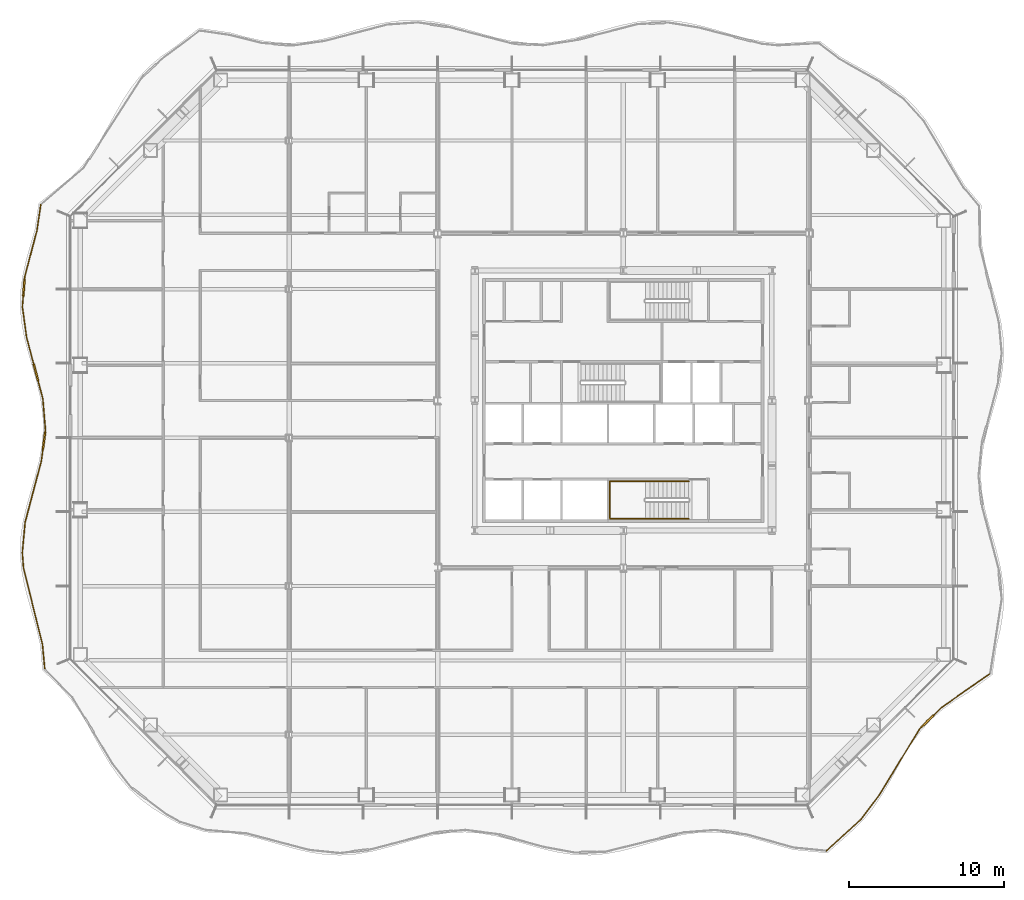
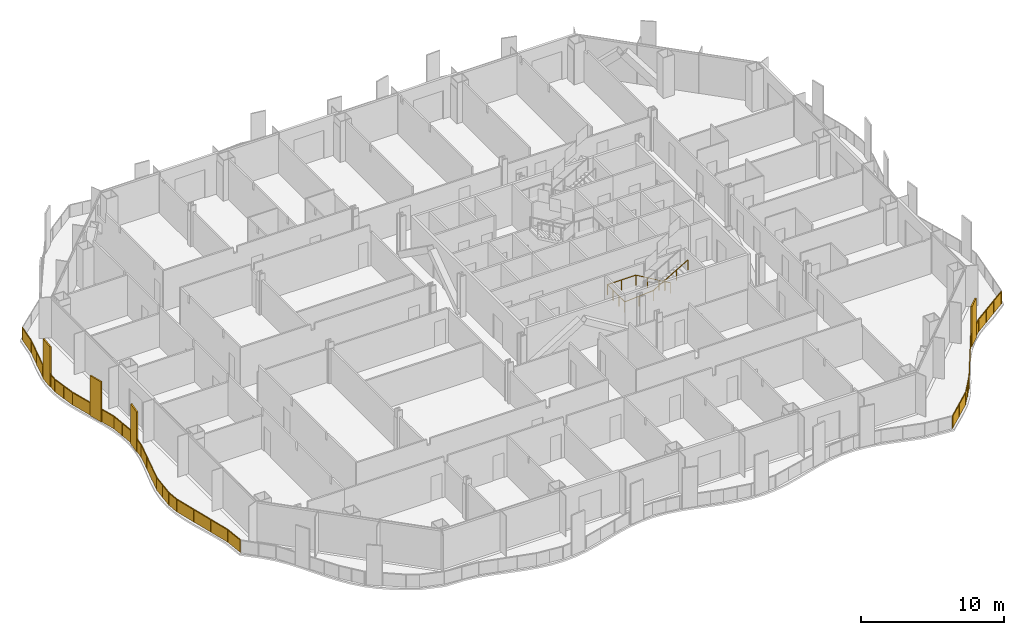
# One storey, part 14 of 18: 3 railings.
"""IFC4 building model written with IfcOpenShell, lengths in metres."""

import ifcopenshell
import ifcopenshell.guid

model = None  # the IFC model being written
_history = None  # IfcOwnerHistory: only IFC2X3 demands one
_inside = {}  # id of a spatial element -> (the spatial element, [elements in it])
_under = {}  # id of a project, library or spatial element -> (it, [spatial elements below it])
_declared = {}  # id of a project -> (the project, [libraries it declares])
_typed = {}  # id of a type object -> (the type object, [elements of that type])
_made_of = {}  # id of a material, layer set ... -> (it, [elements and type objects made of it])


def new_model(schema):
    """Start an empty IFC model of exactly this schema.

    Asked for "IFC4X3", IfcOpenShell would pick the latest addendum, in which some entities
    have other attributes; the version numbers below select the first issue.
    IFC2X3 requires an IfcOwnerHistory on every rooted entity: one is made here for all.
    """
    global model, _history
    if schema == "IFC4X3":
        model = ifcopenshell.file(schema_version=(4, 3, 0, 0))
    else:
        model = ifcopenshell.file(schema=schema)
    _inside.clear()
    _under.clear()
    _declared.clear()
    _typed.clear()
    _made_of.clear()
    _history = None
    if model.schema == "IFC2X3":
        org = make("IfcOrganization", Name="unknown")
        user = make(
            "IfcPersonAndOrganization",
            ThePerson=make("IfcPerson", FamilyName="unknown"),
            TheOrganization=org,
        )
        app = make(
            "IfcApplication",
            ApplicationDeveloper=org,
            Version="unknown",
            ApplicationFullName="unknown",
            ApplicationIdentifier="unknown",
        )
        _history = make(
            "IfcOwnerHistory",
            OwningUser=user,
            OwningApplication=app,
            ChangeAction="ADDED",
            CreationDate=0,
        )
    return model


def make(cls, **values):
    """One entity of the class cls with the attributes given. An attribute that is None is left unset."""
    return model.create_entity(
        cls, **{name: value for name, value in values.items() if value is not None}
    )


def rooted(cls, **values):
    """An entity with a GlobalId (a new one), such as an element, a storey or a relation."""
    return make(cls, GlobalId=ifcopenshell.guid.new(), OwnerHistory=_history, **values)


def si_unit(unit_type, name, prefix=None):
    """IfcSIUnit, for example si_unit("LENGTHUNIT", "METRE", prefix="MILLI")."""
    return make("IfcSIUnit", UnitType=unit_type, Prefix=prefix, Name=name)


def assignment(units):
    """IfcUnitAssignment: the units of a project."""
    return None if units is None else make("IfcUnitAssignment", Units=units)


def point(xyz):
    """IfcCartesianPoint."""
    return None if xyz is None else make("IfcCartesianPoint", Coordinates=xyz)


def direction(xyz):
    """IfcDirection."""
    return None if xyz is None else make("IfcDirection", DirectionRatios=xyz)


def frame(location, z_axis=None, x_axis=None):
    """IfcAxis2Placement3D, a coordinate frame: its origin and axes. An axis left out is left unset."""
    return make(
        "IfcAxis2Placement3D",
        Location=point(location),
        Axis=direction(z_axis),
        RefDirection=direction(x_axis),
    )


def frame_2d(location, x_axis=None):
    """IfcAxis2Placement2D, a coordinate frame in the plane: its origin and x axis."""
    return make(
        "IfcAxis2Placement2D", Location=point(location), RefDirection=direction(x_axis)
    )


def origin():
    """The frame at (0, 0, 0) with its axes left unset."""
    return frame((0.0, 0.0, 0.0))


def origin_2d():
    """The frame at (0, 0) in the plane with its x axis left unset."""
    return frame_2d((0.0, 0.0))


def place(relative_to, where):
    """IfcLocalPlacement: puts the frame where relative to a parent placement (None: the world)."""
    return make(
        "IfcLocalPlacement", PlacementRelTo=relative_to, RelativePlacement=where
    )


def context(
    kind, dimensions, precision=None, world=None, true_north=None, identifier=None
):
    """IfcGeometricRepresentationContext, for example the 3D "Model" context."""
    return make(
        "IfcGeometricRepresentationContext",
        ContextIdentifier=identifier,
        ContextType=kind,
        CoordinateSpaceDimension=dimensions,
        Precision=precision,
        WorldCoordinateSystem=world,
        TrueNorth=true_north,
    )


def subcontext(parent, identifier, kind, view, scale=None):
    """IfcGeometricRepresentationSubContext, for example "Body" below "Model"."""
    return make(
        "IfcGeometricRepresentationSubContext",
        ContextIdentifier=identifier,
        ContextType=kind,
        ParentContext=parent,
        TargetScale=scale,
        TargetView=view,
    )


def project(units=None, contexts=None):
    """IfcProject with its units and contexts."""
    return rooted(
        "IfcProject",
        Name="project",
        RepresentationContexts=contexts,
        UnitsInContext=assignment(units),
    )


def spatial(cls, under=None, at=None, **own):
    """A site, building, storey or space (cls), placed at a placement, below another one or the project."""
    s = rooted(cls, ObjectPlacement=at, **own)
    if under is not None:
        _under.setdefault(under.id(), (under, []))[1].append(s)
    return s


def polyline(points):
    """IfcPolyline through the points."""
    return make("IfcPolyline", Points=[point(p) for p in points])


def profile(cls, at=None, kind="AREA", **sizes):
    """A parametric profile (cls). Its sizes go by their IFC names, for example OverallWidth=200.0."""
    return make(cls, ProfileType=kind, Position=at, **sizes)


def rectangle(**sizes):
    """IfcRectangleProfileDef."""
    return profile("IfcRectangleProfileDef", **sizes)


def outline(outer, holes=None, kind="AREA"):
    """IfcArbitraryClosedProfileDef: a profile drawn as a closed curve; with holes, ...WithVoids."""
    if holes is None:
        return make("IfcArbitraryClosedProfileDef", ProfileType=kind, OuterCurve=outer)
    return make(
        "IfcArbitraryProfileDefWithVoids",
        ProfileType=kind,
        OuterCurve=outer,
        InnerCurves=holes,
    )


def extrude(swept, where, along, depth):
    """IfcExtrudedAreaSolid: the profile swept, set in the frame where, extruded along a direction by depth."""
    return make(
        "IfcExtrudedAreaSolid",
        SweptArea=swept,
        Position=where,
        ExtrudedDirection=direction(along),
        Depth=depth,
    )


def shape(context_of_items, identifier, shape_type, items):
    """IfcShapeRepresentation: the items that make up one representation, for example the "Body"."""
    return make(
        "IfcShapeRepresentation",
        ContextOfItems=context_of_items,
        RepresentationIdentifier=identifier,
        RepresentationType=shape_type,
        Items=items,
    )


def material(Name=None, Category=None):
    """IfcMaterial."""
    return make("IfcMaterial", Name=Name, Category=Category)


def made_of(thing, what):
    """Note that an element or type object is made of a material, layer set ...; save() writes the relation."""
    if what is not None:
        _made_of.setdefault(what.id(), (what, []))[1].append(thing)
    return thing


def type_object(cls, material=None, **own):
    """A type object (cls), such as IfcWallType, which elements share."""
    return made_of(rooted(cls, **own), material)


def element(
    cls,
    number,
    at=None,
    inside=None,
    cuts=None,
    type_object=None,
    material=None,
    context=None,
    identifier="Body",
    shape_type=None,
    held_by="IfcProductDefinitionShape",
    body=None,
    shapes=None,
    **own,
):
    """One element of the class cls, such as IfcWall. Its Tag is "e" and its number.

    at: its placement. inside: the storey or other place that contains it. cuts: it is an
    opening in that element (IfcRelVoidsElement). A single representation is given by context,
    identifier, shape_type and body (its items); several are given by shapes. held_by: the class
    of the entity that holds the representations. save() writes the other relations.
    """
    e = rooted(cls, Tag="e%d" % number, ObjectPlacement=at, **own)
    if body is not None:
        shapes = [shape(context, identifier, shape_type, body)]
    if shapes is not None:
        e.Representation = make(held_by, Representations=shapes)
    if inside is not None:
        _inside.setdefault(inside.id(), (inside, []))[1].append(e)
    if cuts is not None:
        rooted(
            "IfcRelVoidsElement", RelatingBuildingElement=cuts, RelatedOpeningElement=e
        )
    if type_object is not None:
        _typed.setdefault(type_object.id(), (type_object, []))[1].append(e)
    return made_of(e, material)


def aggregate(whole, parts):
    """IfcRelAggregates: a whole, such as a stair, and the parts it consists of."""
    return rooted("IfcRelAggregates", RelatingObject=whole, RelatedObjects=parts)


def save(model, path):
    """Write the relations noted so far, then the file.

    IfcRelAggregates (storeys below a building ...), IfcRelContainedInSpatialStructure (elements
    in a storey), IfcRelDefinesByType, IfcRelAssociatesMaterial and IfcRelDeclares: one each for
    every whole, place, type object, material and project.
    """
    for whole, parts in _under.values():
        aggregate(whole, parts)
    for where, things in _inside.values():
        rooted(
            "IfcRelContainedInSpatialStructure",
            RelatedElements=things,
            RelatingStructure=where,
        )
    for kind, things in _typed.values():
        rooted("IfcRelDefinesByType", RelatedObjects=things, RelatingType=kind)
    for what, things in _made_of.values():
        rooted("IfcRelAssociatesMaterial", RelatedObjects=things, RelatingMaterial=what)
    for by, libraries in _declared.values():
        rooted("IfcRelDeclares", RelatingContext=by, RelatedDefinitions=libraries)
    model.write(path)


model = new_model("IFC4")

# Units and contexts
model_context = context("Model", 3, precision=1e-05, world=origin(), true_north=direction((0.0, 1.0)))
body_context = subcontext(model_context, "Body", "Model", "MODEL_VIEW")
ifc_project = project(units=[si_unit("LENGTHUNIT", "METRE"), si_unit("AREAUNIT", "SQUARE_METRE"), si_unit("VOLUMEUNIT", "CUBIC_METRE"), si_unit("PLANEANGLEUNIT", "RADIAN"), si_unit("MASSUNIT", "GRAM", prefix="KILO")], contexts=[model_context])

# Site, building, storey
site_placement = place(None, origin())
site = spatial("IfcSite", under=ifc_project, at=site_placement, CompositionType="ELEMENT")
building_placement = place(site_placement, origin())
building = spatial("IfcBuilding", under=site, at=building_placement, Name="Cairn Pilgrim Tower", CompositionType="ELEMENT")
storey_placement = place(building_placement, frame((0.0, 0.0, 65.39990234375)))
storey = spatial("IfcBuildingStorey", under=building, at=storey_placement, Name="L14", CompositionType="ELEMENT", Elevation=65.39990234375)

# Railings
ifc_material_1 = material(Name="Bronze anodised aluminium rail, posts and fin screens with laminated glass infill", Category="aluminium")
railing_type_1 = type_object("IfcRailingType", Name="BALCONY GUARD WITH FIN SCREENS", PredefinedType="GUARDRAIL", material=ifc_material_1)
railing_1_placement = place(storey_placement, frame((20.331298828125, -26.700927734375, 0.0)))
element("IfcRailing", 1, at=railing_1_placement, inside=storey, type_object=railing_type_1, Name="Balcony guard BGF-1 with fin screens", PredefinedType="GUARDRAIL", context=body_context, shape_type="SweptSolid", body=[
    extrude(rectangle(XDim=0.050048828125, YDim=0.050048828125, at=origin_2d()), frame((0.0, 0.0, 1.0751953125), z_axis=(0.737340494157, 0.675521276998, 0.0), x_axis=(-0.675521276998, 0.737340494157, 0.0)), (0.0, 0.0, 1.0), 3.044921875),
    extrude(rectangle(XDim=0.050048828125, YDim=0.050048828125, at=origin_2d()), frame((2.2451171875, 2.056884765625, 1.0751953125), z_axis=(0.601108153967, 0.799167684053, 0.0), x_axis=(-0.799167684053, 0.601108153967, 0.0)), (0.0, 0.0, 1.0), 1.937744140625),
    extrude(rectangle(XDim=0.050048828125, YDim=0.050048828125, at=origin_2d()), frame((3.409912109375, 3.60546875, 1.0751953125), z_axis=(0.52059266739, 0.853805173714, 0.0), x_axis=(-0.853805173714, 0.52059266739, 0.0)), (0.0, 0.0, 1.0), 5.00048828125),
    extrude(rectangle(XDim=1.10009765625, YDim=0.110107421875, at=origin_2d()), frame((6.513671875, 8.364501953125, 0.0), z_axis=(0.0, 0.0, 1.0), x_axis=(0.71486767761, 0.699259753961, 0.0)), (0.0, 0.0, 1.0), 3.39990234375),
    extrude(rectangle(XDim=0.050048828125, YDim=0.050048828125, at=origin_2d()), frame((6.01318359375, 7.875, 1.0751953125), z_axis=(0.71486767761, 0.699259753961, 0.0), x_axis=(-0.699259753961, 0.71486767761, 0.0)), (0.0, 0.0, 1.0), 0.14990234375),
    extrude(rectangle(XDim=0.050048828125, YDim=0.050048828125, at=origin_2d()), frame((6.90673828125, 8.7490234375, 1.0751953125), z_axis=(0.71486767761, 0.699259753961, 0.0), x_axis=(-0.699259753961, 0.71486767761, 0.0)), (0.0, 0.0, 1.0), 0.720947265625),
    extrude(rectangle(XDim=0.050048828125, YDim=0.050048828125, at=origin_2d()), frame((7.422119140625, 9.253173828125, 1.0751953125), z_axis=(0.819359141189, 0.573280557624, 0.0), x_axis=(-0.573280557624, 0.819359141189, 0.0)), (0.0, 0.0, 1.0), 3.785888671875),
    extrude(rectangle(XDim=0.050048828125, YDim=0.050048828125, at=origin_2d()), origin(), (0.0, 0.0, 1.0), 1.050048828125),
    extrude(rectangle(XDim=0.050048828125, YDim=0.050048828125, at=origin_2d()), frame((1.12255859375, 1.0283203125, 0.0)), (0.0, 0.0, 1.0), 1.050048828125),
    extrude(rectangle(XDim=0.050048828125, YDim=0.050048828125, at=origin_2d()), frame((2.2451171875, 2.056884765625, 0.0)), (0.0, 0.0, 1.0), 1.050048828125),
    extrude(rectangle(XDim=0.050048828125, YDim=0.050048828125, at=origin_2d()), frame((2.82763671875, 2.8310546875, 0.0)), (0.0, 0.0, 1.0), 1.050048828125),
    extrude(rectangle(XDim=0.050048828125, YDim=0.050048828125, at=origin_2d()), frame((3.409912109375, 3.60546875, 0.0)), (0.0, 0.0, 1.0), 1.050048828125),
    extrude(rectangle(XDim=0.050048828125, YDim=0.050048828125, at=origin_2d()), frame((4.277587890625, 5.028564453125, 0.0)), (0.0, 0.0, 1.0), 1.050048828125),
    extrude(rectangle(XDim=0.050048828125, YDim=0.050048828125, at=origin_2d()), frame((5.1455078125, 6.451904296875, 0.0)), (0.0, 0.0, 1.0), 1.050048828125),
    extrude(rectangle(XDim=0.050048828125, YDim=0.050048828125, at=origin_2d()), frame((6.01318359375, 7.875, 0.0)), (0.0, 0.0, 1.0), 1.050048828125),
    extrude(rectangle(XDim=0.050048828125, YDim=0.050048828125, at=origin_2d()), frame((6.1025390625, 7.96240234375, 0.0)), (0.0, 0.0, 1.0), 1.050048828125),
    extrude(rectangle(XDim=0.050048828125, YDim=0.050048828125, at=origin_2d()), frame((6.924560546875, 8.7666015625, 0.0)), (0.0, 0.0, 1.0), 1.050048828125),
    extrude(rectangle(XDim=0.050048828125, YDim=0.050048828125, at=origin_2d()), frame((7.422119140625, 9.253173828125, 0.0)), (0.0, 0.0, 1.0), 1.050048828125),
    extrude(rectangle(XDim=0.050048828125, YDim=0.050048828125, at=origin_2d()), frame((8.4560546875, 9.9765625, 0.0)), (0.0, 0.0, 1.0), 1.050048828125),
    extrude(rectangle(XDim=0.050048828125, YDim=0.050048828125, at=origin_2d()), frame((9.490234375, 10.7001953125, 0.0)), (0.0, 0.0, 1.0), 1.050048828125),
    extrude(rectangle(XDim=0.050048828125, YDim=0.050048828125, at=origin_2d()), frame((10.524169921875, 11.423583984375, 0.0)), (0.0, 0.0, 1.0), 1.050048828125),
    extrude(outline(polyline([(0.02490234375, 0.0), (1.497314453125, 0.0), (1.497314453125, 1.050048828125), (0.02490234375, 1.050048828125), (0.02490234375, 0.0)])), frame((-0.004150390625, 0.00439453125, 0.0), z_axis=(0.675521276998, -0.737340494157, 0.0), x_axis=(0.737340494157, 0.675521276998, 0.0)), (0.0, 0.0, 1.0), 0.011962890625),
    extrude(outline(polyline([(0.02490234375, 0.0), (1.497314453125, 0.0), (1.497314453125, 1.050048828125), (0.02490234375, 1.050048828125), (0.02490234375, 0.0)])), frame((1.118408203125, 1.032958984375, 0.0), z_axis=(0.675521276998, -0.737340494157, 0.0), x_axis=(0.737340494157, 0.675521276998, 0.0)), (0.0, 0.0, 1.0), 0.011962890625),
    extrude(outline(polyline([(0.02490234375, 0.0), (0.94384765625, 0.0), (0.94384765625, 1.050048828125), (0.02490234375, 1.050048828125), (0.02490234375, 0.0)])), frame((2.240234375, 2.060546875, 0.0), z_axis=(0.799167684053, -0.601108153967, 0.0), x_axis=(0.601108153967, 0.799167684053, 0.0)), (0.0, 0.0, 1.0), 0.011962890625),
    extrude(outline(polyline([(0.02490234375, 0.0), (0.94384765625, 0.0), (0.94384765625, 1.050048828125), (0.02490234375, 1.050048828125), (0.02490234375, 0.0)])), frame((2.82275390625, 2.834716796875, 0.0), z_axis=(0.799167684053, -0.601108153967, 0.0), x_axis=(0.601108153967, 0.799167684053, 0.0)), (0.0, 0.0, 1.0), 0.011962890625),
    extrude(outline(polyline([(0.02490234375, 0.0), (1.641845703125, 0.0), (1.641845703125, 1.050048828125), (0.02490234375, 1.050048828125), (0.02490234375, 0.0)])), frame((3.40478515625, 3.608642578125, 0.0), z_axis=(0.853805173714, -0.52059266739, 0.0), x_axis=(0.52059266739, 0.853805173714, 0.0)), (0.0, 0.0, 1.0), 0.011962890625),
    extrude(outline(polyline([(0.02490234375, 0.0), (1.641845703125, 0.0), (1.641845703125, 1.050048828125), (0.02490234375, 1.050048828125), (0.02490234375, 0.0)])), frame((4.2724609375, 5.03173828125, 0.0), z_axis=(0.853805173714, -0.52059266739, 0.0), x_axis=(0.52059266739, 0.853805173714, 0.0)), (0.0, 0.0, 1.0), 0.011962890625),
    extrude(outline(polyline([(0.02490234375, 0.0), (1.641845703125, 0.0), (1.641845703125, 1.050048828125), (0.02490234375, 1.050048828125), (0.02490234375, 0.0)])), frame((5.140380859375, 6.454833984375, 0.0), z_axis=(0.853805173714, -0.52059266739, 0.0), x_axis=(0.52059266739, 0.853805173714, 0.0)), (0.0, 0.0, 1.0), 0.011962890625),
    extrude(outline(polyline([(0.02490234375, 0.0), (0.099853515625, 0.0), (0.099853515625, 1.050048828125), (0.02490234375, 1.050048828125), (0.02490234375, 0.0)])), frame((6.009033203125, 7.87939453125, 0.0), z_axis=(0.699259753961, -0.71486767761, 0.0), x_axis=(0.71486767761, 0.699259753961, 0.0)), (0.0, 0.0, 1.0), 0.011962890625),
    extrude(outline(polyline([(0.02490234375, 0.0), (0.6708984375, 0.0), (0.6708984375, 1.050048828125), (0.02490234375, 1.050048828125), (0.02490234375, 0.0)])), frame((6.92041015625, 8.770751953125, 0.0), z_axis=(0.699259753961, -0.71486767761, 0.0), x_axis=(0.71486767761, 0.699259753961, 0.0)), (0.0, 0.0, 1.0), 0.011962890625),
    extrude(outline(polyline([(0.02490234375, 0.0), (1.237060546875, 0.0), (1.237060546875, 1.050048828125), (0.02490234375, 1.050048828125), (0.02490234375, 0.0)])), frame((7.418701171875, 9.258056640625, 0.0), z_axis=(0.573280557624, -0.819359141189, 0.0), x_axis=(0.819359141189, 0.573280557624, 0.0)), (0.0, 0.0, 1.0), 0.011962890625),
    extrude(outline(polyline([(0.02490234375, 0.0), (1.237060546875, 0.0), (1.237060546875, 1.050048828125), (0.02490234375, 1.050048828125), (0.02490234375, 0.0)])), frame((8.45263671875, 9.9814453125, 0.0), z_axis=(0.573280557624, -0.819359141189, 0.0), x_axis=(0.819359141189, 0.573280557624, 0.0)), (0.0, 0.0, 1.0), 0.011962890625),
    extrude(outline(polyline([(0.02490234375, 0.0), (1.237060546875, 0.0), (1.237060546875, 1.050048828125), (0.02490234375, 1.050048828125), (0.02490234375, 0.0)])), frame((9.48681640625, 10.705078125, 0.0), z_axis=(0.573280557624, -0.819359141189, 0.0), x_axis=(0.819359141189, 0.573280557624, 0.0)), (0.0, 0.0, 1.0), 0.011962890625),
])
railing_2_placement = place(storey_placement, frame((-30.452392578125, 15.065185546875, 0.0)))
element("IfcRailing", 2, at=railing_2_placement, inside=storey, type_object=railing_type_1, Name="Balcony guard BGF-6 with fin screens", PredefinedType="GUARDRAIL", context=body_context, shape_type="SweptSolid", body=[
    extrude(rectangle(XDim=0.050048828125, YDim=0.050048828125, at=origin_2d()), frame((0.0, 0.0, 1.0751953125), z_axis=(-0.148263547406, -0.988947885639, 0.0), x_axis=(0.988947885639, -0.148263547406, 0.0)), (0.0, 0.0, 1.0), 1.70751953125),
    extrude(rectangle(XDim=0.050048828125, YDim=0.050048828125, at=origin_2d()), frame((-0.253173828125, -1.688720703125, 1.0751953125), z_axis=(-0.255251134666, -0.966874789335, 0.0), x_axis=(0.966874789335, -0.255251134666, 0.0)), (0.0, 0.0, 1.0), 3.075927734375),
    extrude(rectangle(XDim=1.10009765625, YDim=0.110107421875, at=origin_2d()), frame((-1.093017578125, -5.360595703125, 0.0), z_axis=(0.0, 0.0, 1.0), x_axis=(-0.078247003732, -0.996934003035, 0.0)), (0.0, 0.0, 1.0), 3.39990234375),
    extrude(rectangle(XDim=0.050048828125, YDim=0.050048828125, at=origin_2d()), frame((-1.038330078125, -4.662841796875, 1.0751953125), z_axis=(-0.078247003732, -0.996934003035, 0.0), x_axis=(0.996934003035, -0.078247003732, 0.0)), (0.0, 0.0, 1.0), 0.14990234375),
    extrude(rectangle(XDim=0.050048828125, YDim=0.050048828125, at=origin_2d()), frame((-1.13623046875, -5.908935546875, 1.0751953125), z_axis=(-0.078247003732, -0.996934003035, 0.0), x_axis=(0.996934003035, -0.078247003732, 0.0)), (0.0, 0.0, 1.0), 0.712646484375),
    extrude(rectangle(XDim=0.050048828125, YDim=0.050048828125, at=origin_2d()), frame((-1.19189453125, -6.619384765625, 1.0751953125), z_axis=(0.137000419425, -0.990570989418, 0.0), x_axis=(0.990570989418, 0.137000419425, 0.0)), (0.0, 0.0, 1.0), 1.979736328125),
    extrude(rectangle(XDim=1.10009765625, YDim=0.110107421875, at=origin_2d()), frame((-0.320556640625, -10.852294921875, 0.0), z_axis=(0.0, 0.0, 1.0), x_axis=(0.25543404881, -0.966826482213, 0.0)), (0.0, 0.0, 1.0), 3.39990234375),
    extrude(rectangle(XDim=0.050048828125, YDim=0.050048828125, at=origin_2d()), frame((-0.920654296875, -8.58056640625, 1.0751953125), z_axis=(0.25543404881, -0.966826482213, 0.0), x_axis=(0.966826482213, 0.25543404881, 0.0)), (0.0, 0.0, 1.0), 1.7998046875),
    extrude(rectangle(XDim=0.050048828125, YDim=0.050048828125, at=origin_2d()), frame((-0.179931640625, -11.384033203125, 1.0751953125), z_axis=(0.25543404881, -0.966826482213, 0.0), x_axis=(0.966826482213, 0.25543404881, 0.0)), (0.0, 0.0, 1.0), 1.212890625),
    extrude(rectangle(XDim=0.050048828125, YDim=0.050048828125, at=origin_2d()), frame((0.1298828125, -12.556884765625, 1.0751953125), z_axis=(0.084134310487, -0.996454423343, 0.0), x_axis=(0.996454423343, 0.084134310487, 0.0)), (0.0, 0.0, 1.0), 2.0224609375),
    extrude(rectangle(XDim=1.10009765625, YDim=0.110107421875, at=origin_2d()), frame((0.207763671875, -15.26611328125, 0.0), z_axis=(0.0, 0.0, 1.0), x_axis=(-0.131730306318, -0.991285592752, 0.0)), (0.0, 0.0, 1.0), 3.39990234375),
    extrude(rectangle(XDim=0.050048828125, YDim=0.050048828125, at=origin_2d()), frame((0.300048828125, -14.572265625, 1.0751953125), z_axis=(-0.131730306318, -0.991285592752, 0.0), x_axis=(0.991285592752, -0.131730306318, 0.0)), (0.0, 0.0, 1.0), 0.14990234375),
    extrude(rectangle(XDim=0.050048828125, YDim=0.050048828125, at=origin_2d()), frame((0.135498046875, -15.811279296875, 1.0751953125), z_axis=(-0.131730306318, -0.991285592752, 0.0), x_axis=(0.991285592752, -0.131730306318, 0.0)), (0.0, 0.0, 1.0), 0.779541015625),
    extrude(rectangle(XDim=0.050048828125, YDim=0.050048828125, at=origin_2d()), frame((0.03271484375, -16.583984375, 1.0751953125), z_axis=(-0.255900731369, -0.966703064899, 0.0), x_axis=(0.966703064899, -0.255900731369, 0.0)), (0.0, 0.0, 1.0), 4.106201171875),
    extrude(rectangle(XDim=0.050048828125, YDim=0.050048828125, at=origin_2d()), frame((-1.01806640625, -20.553466796875, 1.0751953125), z_axis=(-0.090021453437, -0.995939826456, 0.0), x_axis=(0.995939826456, -0.090021453437, 0.0)), (0.0, 0.0, 1.0), 1.968994140625),
    extrude(rectangle(XDim=0.050048828125, YDim=0.050048828125, at=origin_2d()), frame((-1.1953125, -22.514404296875, 1.0751953125), z_axis=(0.076427344066, -0.997075153175, 0.0), x_axis=(0.997075153175, 0.076427344066, 0.0)), (0.0, 0.0, 1.0), 0.97119140625),
    extrude(rectangle(XDim=0.050048828125, YDim=0.050048828125, at=origin_2d()), frame((-1.12109375, -23.482666015625, 1.0751953125), z_axis=(0.240445913445, -0.970662538016, 0.0), x_axis=(0.970662538016, 0.240445913445, 0.0)), (0.0, 0.0, 1.0), 5.114501953125),
    extrude(rectangle(XDim=0.050048828125, YDim=0.050048828125, at=origin_2d()), frame((0.108642578125, -28.447021484375, 1.0751953125), z_axis=(0.090693275361, -0.995878873058, 0.0), x_axis=(0.995878873058, 0.090693275361, 0.0)), (0.0, 0.0, 1.0), 1.537109375),
    extrude(rectangle(XDim=0.050048828125, YDim=0.050048828125, at=origin_2d()), origin(), (0.0, 0.0, 1.0), 1.050048828125),
    extrude(rectangle(XDim=0.050048828125, YDim=0.050048828125, at=origin_2d()), frame((-0.253173828125, -1.688720703125, 0.0)), (0.0, 0.0, 1.0), 1.050048828125),
    extrude(rectangle(XDim=0.050048828125, YDim=0.050048828125, at=origin_2d()), frame((-0.645751953125, -3.17578125, 0.0)), (0.0, 0.0, 1.0), 1.050048828125),
    extrude(rectangle(XDim=0.050048828125, YDim=0.050048828125, at=origin_2d()), frame((-1.038330078125, -4.662841796875, 0.0)), (0.0, 0.0, 1.0), 1.050048828125),
    extrude(rectangle(XDim=0.050048828125, YDim=0.050048828125, at=origin_2d()), frame((-1.048095703125, -4.787353515625, 0.0)), (0.0, 0.0, 1.0), 1.050048828125),
    extrude(rectangle(XDim=0.050048828125, YDim=0.050048828125, at=origin_2d()), frame((-1.13818359375, -5.933837890625, 0.0)), (0.0, 0.0, 1.0), 1.050048828125),
    extrude(rectangle(XDim=0.050048828125, YDim=0.050048828125, at=origin_2d()), frame((-1.19189453125, -6.619384765625, 0.0)), (0.0, 0.0, 1.0), 1.050048828125),
    extrude(rectangle(XDim=0.050048828125, YDim=0.050048828125, at=origin_2d()), frame((-1.05615234375, -7.60009765625, 0.0)), (0.0, 0.0, 1.0), 1.050048828125),
    extrude(rectangle(XDim=0.050048828125, YDim=0.050048828125, at=origin_2d()), frame((-0.920654296875, -8.58056640625, 0.0)), (0.0, 0.0, 1.0), 1.050048828125),
    extrude(rectangle(XDim=0.050048828125, YDim=0.050048828125, at=origin_2d()), frame((-0.46728515625, -10.29638671875, 0.0)), (0.0, 0.0, 1.0), 1.050048828125),
    extrude(rectangle(XDim=0.050048828125, YDim=0.050048828125, at=origin_2d()), frame((-0.173583984375, -11.408447265625, 0.0)), (0.0, 0.0, 1.0), 1.050048828125),
    extrude(rectangle(XDim=0.050048828125, YDim=0.050048828125, at=origin_2d()), frame((0.1298828125, -12.556884765625, 0.0)), (0.0, 0.0, 1.0), 1.050048828125),
    extrude(rectangle(XDim=0.050048828125, YDim=0.050048828125, at=origin_2d()), frame((0.21484375, -13.564453125, 0.0)), (0.0, 0.0, 1.0), 1.050048828125),
    extrude(rectangle(XDim=0.050048828125, YDim=0.050048828125, at=origin_2d()), frame((0.300048828125, -14.572265625, 0.0)), (0.0, 0.0, 1.0), 1.050048828125),
    extrude(rectangle(XDim=0.050048828125, YDim=0.050048828125, at=origin_2d()), frame((0.28369140625, -14.696044921875, 0.0)), (0.0, 0.0, 1.0), 1.050048828125),
    extrude(rectangle(XDim=0.050048828125, YDim=0.050048828125, at=origin_2d()), frame((0.132080078125, -15.836181640625, 0.0)), (0.0, 0.0, 1.0), 1.050048828125),
    extrude(rectangle(XDim=0.050048828125, YDim=0.050048828125, at=origin_2d()), frame((0.03271484375, -16.583984375, 0.0)), (0.0, 0.0, 1.0), 1.050048828125),
    extrude(rectangle(XDim=0.050048828125, YDim=0.050048828125, at=origin_2d()), frame((-0.317626953125, -17.9072265625, 0.0)), (0.0, 0.0, 1.0), 1.050048828125),
    extrude(rectangle(XDim=0.050048828125, YDim=0.050048828125, at=origin_2d()), frame((-0.667724609375, -19.230224609375, 0.0)), (0.0, 0.0, 1.0), 1.050048828125),
    extrude(rectangle(XDim=0.050048828125, YDim=0.050048828125, at=origin_2d()), frame((-1.01806640625, -20.553466796875, 0.0)), (0.0, 0.0, 1.0), 1.050048828125),
    extrude(rectangle(XDim=0.050048828125, YDim=0.050048828125, at=origin_2d()), frame((-1.106689453125, -21.533935546875, 0.0)), (0.0, 0.0, 1.0), 1.050048828125),
    extrude(rectangle(XDim=0.050048828125, YDim=0.050048828125, at=origin_2d()), frame((-1.1953125, -22.514404296875, 0.0)), (0.0, 0.0, 1.0), 1.050048828125),
    extrude(rectangle(XDim=0.050048828125, YDim=0.050048828125, at=origin_2d()), frame((-1.12109375, -23.482666015625, 0.0)), (0.0, 0.0, 1.0), 1.050048828125),
    extrude(rectangle(XDim=0.050048828125, YDim=0.050048828125, at=origin_2d()), frame((-0.711181640625, -25.137451171875, 0.0)), (0.0, 0.0, 1.0), 1.050048828125),
    extrude(rectangle(XDim=0.050048828125, YDim=0.050048828125, at=origin_2d()), frame((-0.30126953125, -26.792236328125, 0.0)), (0.0, 0.0, 1.0), 1.050048828125),
    extrude(rectangle(XDim=0.050048828125, YDim=0.050048828125, at=origin_2d()), frame((0.108642578125, -28.447021484375, 0.0)), (0.0, 0.0, 1.0), 1.050048828125),
    extrude(rectangle(XDim=0.050048828125, YDim=0.050048828125, at=origin_2d()), frame((0.248046875, -29.977783203125, 0.0)), (0.0, 0.0, 1.0), 1.050048828125),
    extrude(outline(polyline([(0.02490234375, 0.0), (1.6826171875, 0.0), (1.6826171875, 1.050048828125), (0.02490234375, 1.050048828125), (0.02490234375, 0.0)])), frame((0.005859375, -0.0009765625, 0.0), z_axis=(-0.988947885639, 0.148263547406, 0.0), x_axis=(-0.148263547406, -0.988947885639, 0.0)), (0.0, 0.0, 1.0), 0.011962890625),
    extrude(outline(polyline([(0.02490234375, 0.0), (1.512939453125, 0.0), (1.512939453125, 1.050048828125), (0.02490234375, 1.050048828125), (0.02490234375, 0.0)])), frame((-0.247314453125, -1.690185546875, 0.0), z_axis=(-0.966874789335, 0.255251134666, 0.0), x_axis=(-0.255251134666, -0.966874789335, 0.0)), (0.0, 0.0, 1.0), 0.011962890625),
    extrude(outline(polyline([(0.02490234375, 0.0), (1.512939453125, 0.0), (1.512939453125, 1.050048828125), (0.02490234375, 1.050048828125), (0.02490234375, 0.0)])), frame((-0.639892578125, -3.17724609375, 0.0), z_axis=(-0.966874789335, 0.255251134666, 0.0), x_axis=(-0.255251134666, -0.966874789335, 0.0)), (0.0, 0.0, 1.0), 0.011962890625),
    extrude(outline(polyline([(0.02490234375, 0.0), (0.099853515625, 0.0), (0.099853515625, 1.050048828125), (0.02490234375, 1.050048828125), (0.02490234375, 0.0)])), frame((-1.032470703125, -4.663330078125, 0.0), z_axis=(-0.996934003035, 0.078247003732, 0.0), x_axis=(-0.078247003732, -0.996934003035, 0.0)), (0.0, 0.0, 1.0), 0.011962890625),
    extrude(outline(polyline([(0.02490234375, 0.0), (0.66259765625, 0.0), (0.66259765625, 1.050048828125), (0.02490234375, 1.050048828125), (0.02490234375, 0.0)])), frame((-1.132080078125, -5.934326171875, 0.0), z_axis=(-0.996934003035, 0.078247003732, 0.0), x_axis=(-0.078247003732, -0.996934003035, 0.0)), (0.0, 0.0, 1.0), 0.011962890625),
    extrude(outline(polyline([(0.02490234375, 0.0), (0.96484375, 0.0), (0.96484375, 1.050048828125), (0.02490234375, 1.050048828125), (0.02490234375, 0.0)])), frame((-1.18603515625, -6.61865234375, 0.0), z_axis=(-0.990570989418, -0.137000419425, 0.0), x_axis=(0.137000419425, -0.990570989418, 0.0)), (0.0, 0.0, 1.0), 0.011962890625),
    extrude(outline(polyline([(0.02490234375, 0.0), (0.96484375, 0.0), (0.96484375, 1.050048828125), (0.02490234375, 1.050048828125), (0.02490234375, 0.0)])), frame((-1.05029296875, -7.59912109375, 0.0), z_axis=(-0.990570989418, -0.137000419425, 0.0), x_axis=(0.137000419425, -0.990570989418, 0.0)), (0.0, 0.0, 1.0), 0.011962890625),
    extrude(outline(polyline([(0.02490234375, 0.0), (1.749755859375, 0.0), (1.749755859375, 1.050048828125), (0.02490234375, 1.050048828125), (0.02490234375, 0.0)])), frame((-0.914794921875, -8.5791015625, 0.0), z_axis=(-0.966826482213, -0.25543404881, 0.0), x_axis=(0.25543404881, -0.966826482213, 0.0)), (0.0, 0.0, 1.0), 0.011962890625),
    extrude(outline(polyline([(0.02490234375, 0.0), (1.162841796875, 0.0), (1.162841796875, 1.050048828125), (0.02490234375, 1.050048828125), (0.02490234375, 0.0)])), frame((-0.167724609375, -11.40673828125, 0.0), z_axis=(-0.966826482213, -0.25543404881, 0.0), x_axis=(0.25543404881, -0.966826482213, 0.0)), (0.0, 0.0, 1.0), 0.011962890625),
    extrude(outline(polyline([(0.02490234375, 0.0), (0.986328125, 0.0), (0.986328125, 1.050048828125), (0.02490234375, 1.050048828125), (0.02490234375, 0.0)])), frame((0.1357421875, -12.556396484375, 0.0), z_axis=(-0.996454423343, -0.084134310487, 0.0), x_axis=(0.084134310487, -0.996454423343, 0.0)), (0.0, 0.0, 1.0), 0.011962890625),
    extrude(outline(polyline([(0.02490234375, 0.0), (0.986328125, 0.0), (0.986328125, 1.050048828125), (0.02490234375, 1.050048828125), (0.02490234375, 0.0)])), frame((0.220947265625, -13.56396484375, 0.0), z_axis=(-0.996454423343, -0.084134310487, 0.0), x_axis=(0.084134310487, -0.996454423343, 0.0)), (0.0, 0.0, 1.0), 0.011962890625),
    extrude(outline(polyline([(0.02490234375, 0.0), (0.099853515625, 0.0), (0.099853515625, 1.050048828125), (0.02490234375, 1.050048828125), (0.02490234375, 0.0)])), frame((0.305908203125, -14.572998046875, 0.0), z_axis=(-0.991285592752, 0.131730306318, 0.0), x_axis=(-0.131730306318, -0.991285592752, 0.0)), (0.0, 0.0, 1.0), 0.011962890625),
    extrude(outline(polyline([(0.02490234375, 0.0), (0.7294921875, 0.0), (0.7294921875, 1.050048828125), (0.02490234375, 1.050048828125), (0.02490234375, 0.0)])), frame((0.137939453125, -15.8369140625, 0.0), z_axis=(-0.991285592752, 0.131730306318, 0.0), x_axis=(-0.131730306318, -0.991285592752, 0.0)), (0.0, 0.0, 1.0), 0.011962890625),
    extrude(outline(polyline([(0.02490234375, 0.0), (1.34375, 0.0), (1.34375, 1.050048828125), (0.02490234375, 1.050048828125), (0.02490234375, 0.0)])), frame((0.03857421875, -16.58544921875, 0.0), z_axis=(-0.966703064899, 0.255900731369, 0.0), x_axis=(-0.255900731369, -0.966703064899, 0.0)), (0.0, 0.0, 1.0), 0.011962890625),
    extrude(outline(polyline([(0.02490234375, 0.0), (1.34375, 0.0), (1.34375, 1.050048828125), (0.02490234375, 1.050048828125), (0.02490234375, 0.0)])), frame((-0.311767578125, -17.90869140625, 0.0), z_axis=(-0.966703064899, 0.255900731369, 0.0), x_axis=(-0.255900731369, -0.966703064899, 0.0)), (0.0, 0.0, 1.0), 0.011962890625),
    extrude(outline(polyline([(0.02490234375, 0.0), (1.34375, 0.0), (1.34375, 1.050048828125), (0.02490234375, 1.050048828125), (0.02490234375, 0.0)])), frame((-0.662109375, -19.23193359375, 0.0), z_axis=(-0.966703064899, 0.255900731369, 0.0), x_axis=(-0.255900731369, -0.966703064899, 0.0)), (0.0, 0.0, 1.0), 0.011962890625),
    extrude(outline(polyline([(0.02490234375, 0.0), (0.95947265625, 0.0), (0.95947265625, 1.050048828125), (0.02490234375, 1.050048828125), (0.02490234375, 0.0)])), frame((-1.01220703125, -20.553955078125, 0.0), z_axis=(-0.995939826456, 0.090021453437, 0.0), x_axis=(-0.090021453437, -0.995939826456, 0.0)), (0.0, 0.0, 1.0), 0.011962890625),
    extrude(outline(polyline([(0.02490234375, 0.0), (0.95947265625, 0.0), (0.95947265625, 1.050048828125), (0.02490234375, 1.050048828125), (0.02490234375, 0.0)])), frame((-1.100830078125, -21.534423828125, 0.0), z_axis=(-0.995939826456, 0.090021453437, 0.0), x_axis=(-0.090021453437, -0.995939826456, 0.0)), (0.0, 0.0, 1.0), 0.011962890625),
    extrude(outline(polyline([(0.02490234375, 0.0), (0.946044921875, 0.0), (0.946044921875, 1.050048828125), (0.02490234375, 1.050048828125), (0.02490234375, 0.0)])), frame((-1.189453125, -22.513916015625, 0.0), z_axis=(-0.997075153175, -0.076427344066, 0.0), x_axis=(0.076427344066, -0.997075153175, 0.0)), (0.0, 0.0, 1.0), 0.011962890625),
    extrude(outline(polyline([(0.02490234375, 0.0), (1.6796875, 0.0), (1.6796875, 1.050048828125), (0.02490234375, 1.050048828125), (0.02490234375, 0.0)])), frame((-1.115234375, -23.481201171875, 0.0), z_axis=(-0.970662538016, -0.240445913445, 0.0), x_axis=(0.240445913445, -0.970662538016, 0.0)), (0.0, 0.0, 1.0), 0.011962890625),
    extrude(outline(polyline([(0.02490234375, 0.0), (1.6796875, 0.0), (1.6796875, 1.050048828125), (0.02490234375, 1.050048828125), (0.02490234375, 0.0)])), frame((-0.705322265625, -25.135986328125, 0.0), z_axis=(-0.970662538016, -0.240445913445, 0.0), x_axis=(0.240445913445, -0.970662538016, 0.0)), (0.0, 0.0, 1.0), 0.011962890625),
    extrude(outline(polyline([(0.02490234375, 0.0), (1.6796875, 0.0), (1.6796875, 1.050048828125), (0.02490234375, 1.050048828125), (0.02490234375, 0.0)])), frame((-0.29541015625, -26.790771484375, 0.0), z_axis=(-0.970662538016, -0.240445913445, 0.0), x_axis=(0.240445913445, -0.970662538016, 0.0)), (0.0, 0.0, 1.0), 0.011962890625),
    extrude(outline(polyline([(0.02490234375, 0.0), (1.511962890625, 0.0), (1.511962890625, 1.050048828125), (0.02490234375, 1.050048828125), (0.02490234375, 0.0)])), frame((0.114501953125, -28.446533203125, 0.0), z_axis=(-0.995878873058, -0.090693275361, 0.0), x_axis=(0.090693275361, -0.995878873058, 0.0)), (0.0, 0.0, 1.0), 0.011962890625),
])
ifc_material_2 = material(Name="Painted steel", Category="steel")
railing_type_2 = type_object("IfcRailingType", Name="STAIR HANDRAIL 900", PredefinedType="HANDRAIL", material=ifc_material_2)
railing_3_placement = place(storey_placement, frame((11.425048828125, -2.824951171875, 0.163818359375)))
element("IfcRailing", 3, at=railing_3_placement, inside=storey, type_object=railing_type_2, Name="L14 ST-A stair handrail 1", PredefinedType="HANDRAIL", context=body_context, shape_type="SweptSolid", body=[
    extrude(rectangle(XDim=0.048095703125, YDim=0.048095703125, at=origin_2d()), frame((0.0, 0.0, 0.8759765625), z_axis=(-0.863393664356, 0.0, 0.504530851732), x_axis=(0.0, -1.0, 0.0)), (0.0, 0.0, 1.0), 3.2431640625),
    extrude(rectangle(XDim=0.048095703125, YDim=0.048095703125, at=origin_2d()), frame((-2.800048828125, 0.0, 2.51220703125), z_axis=(-1.0, 0.0, 0.0), x_axis=(0.0, -1.0, 0.0)), (0.0, 0.0, 1.0), 2.300048828125),
    extrude(rectangle(XDim=0.048095703125, YDim=0.048095703125, at=origin_2d()), frame((-5.10009765625, 0.0, 2.51220703125), z_axis=(0.0, -1.0, 0.0), x_axis=(1.0, 0.0, 0.0)), (0.0, 0.0, 1.0), 2.425048828125),
    extrude(rectangle(XDim=0.048095703125, YDim=0.048095703125, at=origin_2d()), frame((-5.10009765625, -2.425048828125, 2.51220703125), z_axis=(0.997480687736, 0.0, 0.070938548008), x_axis=(0.0, 1.0, 0.0)), (0.0, 0.0, 1.0), 2.305908203125),
    extrude(rectangle(XDim=0.048095703125, YDim=0.048095703125, at=origin_2d()), frame((-2.800048828125, -2.425048828125, 2.67578125), z_axis=(0.863360870873, 0.0, 0.504586966384), x_axis=(0.0, 1.0, 0.0)), (0.0, 0.0, 1.0), 3.2431640625),
    extrude(rectangle(XDim=0.0419921875, YDim=0.0419921875, at=origin_2d()), origin(), (0.0, 0.0, 1.0), 0.851806640625),
    extrude(rectangle(XDim=0.0419921875, YDim=0.0419921875, at=origin_2d()), frame((-0.933349609375, 0.0, 0.54541015625)), (0.0, 0.0, 1.0), 0.851806640625),
    extrude(rectangle(XDim=0.0419921875, YDim=0.0419921875, at=origin_2d()), frame((-1.86669921875, 0.0, 1.0908203125)), (0.0, 0.0, 1.0), 0.851806640625),
    extrude(rectangle(XDim=0.0419921875, YDim=0.0419921875, at=origin_2d()), frame((-2.800048828125, 0.0, 1.63623046875)), (0.0, 0.0, 1.0), 0.851806640625),
    extrude(rectangle(XDim=0.0419921875, YDim=0.0419921875, at=origin_2d()), frame((-3.9501953125, 0.0, 1.63623046875)), (0.0, 0.0, 1.0), 0.851806640625),
    extrude(rectangle(XDim=0.0419921875, YDim=0.0419921875, at=origin_2d()), frame((-5.10009765625, 0.0, 1.63623046875)), (0.0, 0.0, 1.0), 0.851806640625),
    extrude(rectangle(XDim=0.0419921875, YDim=0.0419921875, at=origin_2d()), frame((-5.10009765625, -0.808349609375, 1.63623046875)), (0.0, 0.0, 1.0), 0.851806640625),
    extrude(rectangle(XDim=0.0419921875, YDim=0.0419921875, at=origin_2d()), frame((-5.10009765625, -1.61669921875, 1.63623046875)), (0.0, 0.0, 1.0), 0.851806640625),
    extrude(rectangle(XDim=0.0419921875, YDim=0.0419921875, at=origin_2d()), frame((-5.10009765625, -2.425048828125, 1.63623046875)), (0.0, 0.0, 1.0), 0.851806640625),
    extrude(rectangle(XDim=0.0419921875, YDim=0.0419921875, at=origin_2d()), frame((-3.9501953125, -2.425048828125, 1.718017578125)), (0.0, 0.0, 1.0), 0.851806640625),
    extrude(rectangle(XDim=0.0419921875, YDim=0.0419921875, at=origin_2d()), frame((-2.800048828125, -2.425048828125, 1.7998046875)), (0.0, 0.0, 1.0), 0.851806640625),
    extrude(rectangle(XDim=0.0419921875, YDim=0.0419921875, at=origin_2d()), frame((-1.86669921875, -2.425048828125, 2.34521484375)), (0.0, 0.0, 1.0), 0.851806640625),
    extrude(rectangle(XDim=0.0419921875, YDim=0.0419921875, at=origin_2d()), frame((-0.933349609375, -2.425048828125, 2.890869140625)), (0.0, 0.0, 1.0), 0.851806640625),
    extrude(rectangle(XDim=0.0419921875, YDim=0.0419921875, at=origin_2d()), frame((0.0, -2.425048828125, 3.436279296875)), (0.0, 0.0, 1.0), 0.851806640625),
])

save(model, "model.ifc")
